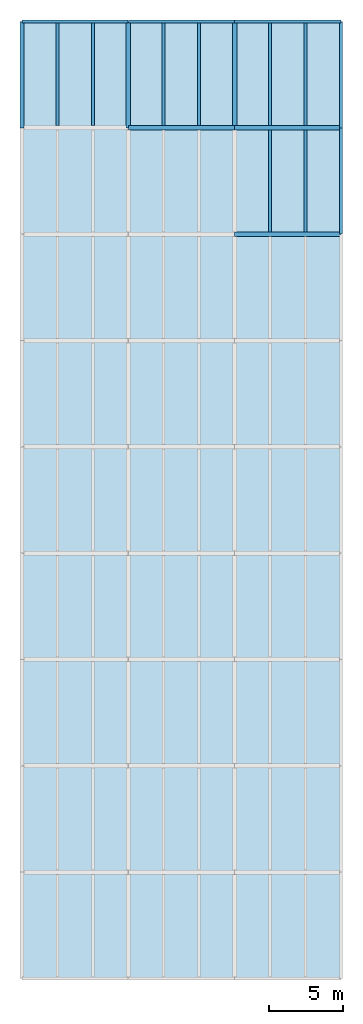
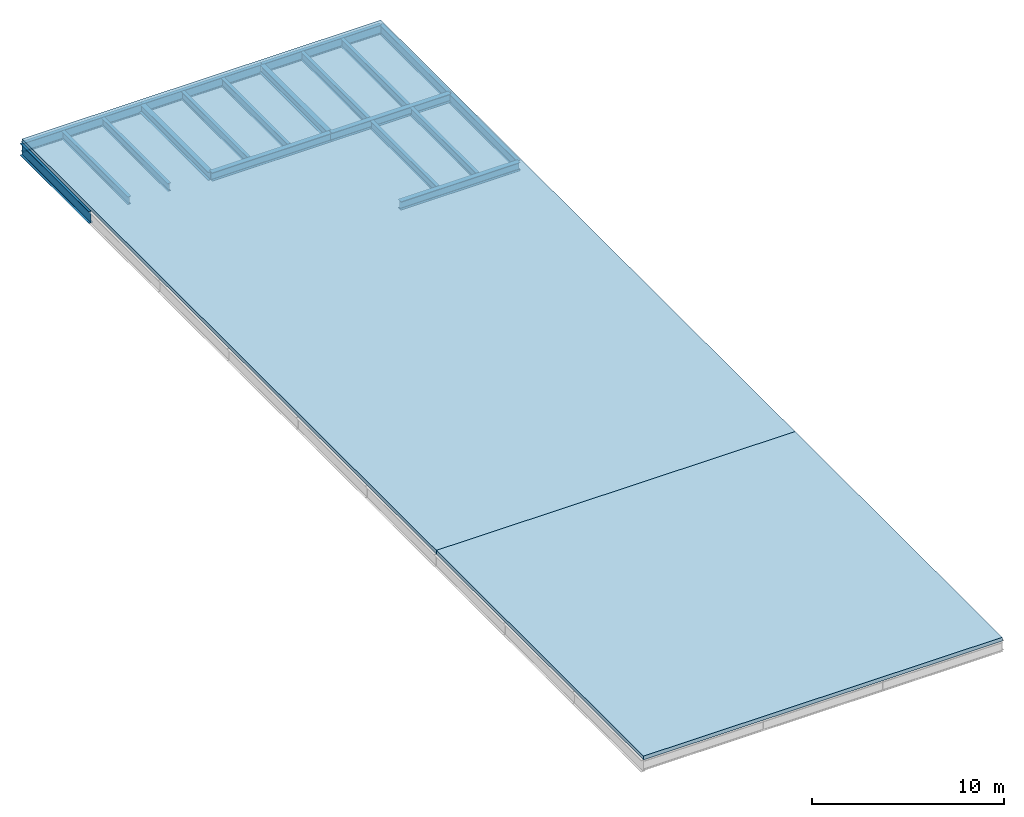
# One storey, part 2 of 2: 19 beams, 2 slabs.
"""IFC4 building model written with IfcOpenShell, lengths in metres."""

from ifc_helpers import new_model, si_unit, direction, frame, origin, origin_2d, place, context, subcontext, project, spatial, polyline, i_section, outline, extrude, material, layer, layer_set, material_profile, profile_set, type_object, element, save


model = new_model("IFC4")

# Units and contexts
model_context = context("Model", 3, precision=1e-05, world=origin(), true_north=direction((0.0, 1.0)))
body_context = subcontext(model_context, "Body", "Model", "MODEL_VIEW")
ifc_project = project(units=[si_unit("LENGTHUNIT", "METRE"), si_unit("AREAUNIT", "SQUARE_METRE"), si_unit("VOLUMEUNIT", "CUBIC_METRE"), si_unit("PLANEANGLEUNIT", "RADIAN"), si_unit("MASSUNIT", "GRAM", prefix="KILO")], contexts=[model_context])

# Site, building, storey
site_placement = place(None, origin())
site = spatial("IfcSite", under=ifc_project, at=site_placement, CompositionType="ELEMENT")
building_placement = place(site_placement, origin())
building = spatial("IfcBuilding", under=site, at=building_placement, Name="Narikvali Park Central Library", CompositionType="ELEMENT")
storey_placement = place(building_placement, frame((0.0, 0.0, 27.0)))
storey = spatial("IfcBuildingStorey", under=building, at=storey_placement, Name="Roof", CompositionType="ELEMENT", Elevation=27.0)

# Beams
ifc_material_1 = material(Name="Steel S355", Category="steel")
ifc_material_profile_1 = material_profile(ifc_material_1, i_section(OverallWidth=0.199951171875, OverallDepth=0.5, WebThickness=0.01025390625, FlangeThickness=0.01611328125, FilletRadius=0.02099609375, at=origin_2d()), Name="IPE 500")
ifc_profile_set_1 = profile_set([ifc_material_profile_1], Name="Steel S355")
beam_type_1 = type_object("IfcBeamType", Name="Composite Floor Joist IPE500", PredefinedType="JOIST", material=ifc_profile_set_1)
for number, where, z_axis, x_axis, name in (
    (1, (2.39990234375, 100.949951171875, -0.489990234375), (0.0, 1.0, 0.0), (-1.0, 0.0, 0.0), "V5 Roof Composite Joist 1"),
    (2, (4.800048828125, 100.949951171875, -0.489990234375), (0.0, 1.0, 0.0), (-1.0, 0.0, 0.0), "V5 Roof Composite Joist 2"),
    (3, (9.60009765625, 100.949951171875, -0.489990234375), (0.0, 1.0, 0.0), (-1.0, 0.0, 0.0), "V5 Roof Composite Joist 1"),
    (4, (12.0, 100.949951171875, -0.489990234375), (0.0, 1.0, 0.0), (-1.0, 0.0, 0.0), "V5 Roof Composite Joist 2"),
):
    element("IfcBeam", number, at=place(storey_placement, frame(where, z_axis=z_axis, x_axis=x_axis)), inside=storey, type_object=beam_type_1, Name=name, PredefinedType="JOIST", context=body_context, shape_type="SweptSolid", body=[
        extrude(i_section(OverallWidth=0.199951171875, OverallDepth=0.5, WebThickness=0.01025390625, FlangeThickness=0.01611328125, FilletRadius=0.02099609375, at=origin_2d()), origin(), (0.0, 0.0, 1.0), 6.93994140625),
    ])
for number, where, z_axis, x_axis, name in (
    (5, (16.800048828125, 93.75, -0.489990234375), (0.0, 1.0, 0.0), (-1.0, 0.0, 0.0), "V5 Roof Composite Joist 1"),
    (6, (19.199951171875, 93.75, -0.489990234375), (0.0, 1.0, 0.0), (-1.0, 0.0, 0.0), "V5 Roof Composite Joist 2"),
):
    element("IfcBeam", number, at=place(storey_placement, frame(where, z_axis=z_axis, x_axis=x_axis)), inside=storey, type_object=beam_type_1, Name=name, PredefinedType="JOIST", context=body_context, shape_type="SweptSolid", body=[
        extrude(i_section(OverallWidth=0.199951171875, OverallDepth=0.5, WebThickness=0.01025390625, FlangeThickness=0.01611328125, FilletRadius=0.02099609375, at=origin_2d()), origin(), (0.0, 0.0, 1.0), 6.89990234375),
    ])
for number, where, z_axis, x_axis, name in (
    (7, (16.800048828125, 100.949951171875, -0.489990234375), (0.0, 1.0, 0.0), (-1.0, 0.0, 0.0), "V5 Roof Composite Joist 1"),
    (8, (19.199951171875, 100.949951171875, -0.489990234375), (0.0, 1.0, 0.0), (-1.0, 0.0, 0.0), "V5 Roof Composite Joist 2"),
):
    element("IfcBeam", number, at=place(storey_placement, frame(where, z_axis=z_axis, x_axis=x_axis)), inside=storey, type_object=beam_type_1, Name=name, PredefinedType="JOIST", context=body_context, shape_type="SweptSolid", body=[
        extrude(i_section(OverallWidth=0.199951171875, OverallDepth=0.5, WebThickness=0.01025390625, FlangeThickness=0.01611328125, FilletRadius=0.02099609375, at=origin_2d()), origin(), (0.0, 0.0, 1.0), 6.93994140625),
    ])
ifc_material_profile_2 = material_profile(ifc_material_1, i_section(OverallWidth=0.264892578125, OverallDepth=0.7529296875, WebThickness=0.01318359375, FlangeThickness=0.01708984375, FilletRadius=0.01708984375, at=origin_2d()), Name="IPE 750x147")
ifc_profile_set_2 = profile_set([ifc_material_profile_2], Name="Steel S355")
beam_type_2 = type_object("IfcBeamType", Name="Fin Facade Spandrel IPE750", PredefinedType="SPANDREL", material=ifc_profile_set_2)
beam_1_placement = place(storey_placement, frame((0.0, 100.80810546875, -0.616455078125), z_axis=(0.0, 1.0, 0.0), x_axis=(-1.0, 0.0, 0.0)))
element("IfcBeam", 9, at=beam_1_placement, inside=storey, type_object=beam_type_2, Name="V5 Roof Girder Y", PredefinedType="SPANDREL", context=body_context, shape_type="SweptSolid", body=[
    extrude(i_section(OverallWidth=0.264892578125, OverallDepth=0.7529296875, WebThickness=0.01318359375, FlangeThickness=0.01708984375, FilletRadius=0.01708984375, at=origin_2d()), origin(), (0.0, 0.0, 1.0), 7.183837890625),
])
ifc_material_profile_3 = material_profile(ifc_material_1, i_section(OverallWidth=0.219970703125, OverallDepth=0.60009765625, WebThickness=0.011962890625, FlangeThickness=0.01904296875, FilletRadius=0.02392578125, at=origin_2d()), Name="IPE 600")
ifc_profile_set_3 = profile_set([ifc_material_profile_3], Name="Steel S355")
beam_type_3 = type_object("IfcBeamType", Name="Perimeter Spandrel IPE600", PredefinedType="SPANDREL", material=ifc_profile_set_3)
beam_2_placement = place(storey_placement, frame((0.008056640625, 108.0, -0.5400390625), z_axis=(1.0, 0.0, 0.0), x_axis=(0.0, 1.0, 0.0)))
element("IfcBeam", 10, at=beam_2_placement, inside=storey, type_object=beam_type_3, Name="V5 Roof Girder X", PredefinedType="SPANDREL", context=body_context, shape_type="SweptSolid", body=[
    extrude(i_section(OverallWidth=0.219970703125, OverallDepth=0.60009765625, WebThickness=0.011962890625, FlangeThickness=0.01904296875, FilletRadius=0.02392578125, at=origin_2d()), origin(), (0.0, 0.0, 1.0), 7.183837890625),
])
for number, where, z_axis, x_axis, name in (
    (11, (7.2080078125, 108.0, -0.5400390625), (1.0, 0.0, 0.0), (0.0, 1.0, 0.0), "V5 Roof Girder X"),
    (12, (14.407958984375, 108.0, -0.5400390625), (1.0, 0.0, 0.0), (0.0, 1.0, 0.0), "V5 Roof Girder X"),
    (13, (21.60009765625, 93.60791015625, -0.5400390625), (0.0, 1.0, 0.0), (-1.0, 0.0, 0.0), "V5 Roof Girder Y"),
):
    element("IfcBeam", number, at=place(storey_placement, frame(where, z_axis=z_axis, x_axis=x_axis)), inside=storey, type_object=beam_type_3, Name=name, PredefinedType="SPANDREL", context=body_context, shape_type="SweptSolid", body=[
        extrude(i_section(OverallWidth=0.219970703125, OverallDepth=0.60009765625, WebThickness=0.011962890625, FlangeThickness=0.01904296875, FilletRadius=0.02392578125, at=origin_2d()), origin(), (0.0, 0.0, 1.0), 7.18408203125),
    ])
beam_3_placement = place(storey_placement, frame((21.60009765625, 100.80810546875, -0.5400390625), z_axis=(0.0, 1.0, 0.0), x_axis=(-1.0, 0.0, 0.0)))
element("IfcBeam", 14, at=beam_3_placement, inside=storey, type_object=beam_type_3, Name="V5 Roof Girder Y", PredefinedType="SPANDREL", context=body_context, shape_type="SweptSolid", body=[
    extrude(i_section(OverallWidth=0.219970703125, OverallDepth=0.60009765625, WebThickness=0.011962890625, FlangeThickness=0.01904296875, FilletRadius=0.02392578125, at=origin_2d()), origin(), (0.0, 0.0, 1.0), 7.183837890625),
])
ifc_material_profile_4 = material_profile(ifc_material_1, i_section(OverallWidth=0.300048828125, OverallDepth=0.5400390625, WebThickness=0.012451171875, FlangeThickness=0.02392578125, FilletRadius=0.027099609375, at=origin_2d()), Name="HEA 550")
ifc_profile_set_4 = profile_set([ifc_material_profile_4], Name="Steel S355")
beam_type_4 = type_object("IfcBeamType", Name="Primary Girder HEA550", PredefinedType="BEAM", material=ifc_profile_set_4)
for number, where, z_axis, x_axis, name in (
    (15, (7.199951171875, 100.80810546875, -0.510009765625), (0.0, 1.0, 0.0), (-1.0, 0.0, 0.0), "V5 Roof Girder Y"),
    (16, (14.39990234375, 100.80810546875, -0.510009765625), (0.0, 1.0, 0.0), (-1.0, 0.0, 0.0), "V5 Roof Girder Y"),
):
    element("IfcBeam", number, at=place(storey_placement, frame(where, z_axis=z_axis, x_axis=x_axis)), inside=storey, type_object=beam_type_4, Name=name, PredefinedType="BEAM", context=body_context, shape_type="SweptSolid", body=[
        extrude(i_section(OverallWidth=0.300048828125, OverallDepth=0.5400390625, WebThickness=0.012451171875, FlangeThickness=0.02392578125, FilletRadius=0.027099609375, at=origin_2d()), origin(), (0.0, 0.0, 1.0), 7.183837890625),
    ])
ifc_material_profile_5 = material_profile(ifc_material_1, i_section(OverallWidth=0.300048828125, OverallDepth=0.550048828125, WebThickness=0.014892578125, FlangeThickness=0.029052734375, FilletRadius=0.027099609375, at=origin_2d()), Name="HEB 550")
ifc_profile_set_5 = profile_set([ifc_material_profile_5], Name="Steel S355")
beam_type_5 = type_object("IfcBeamType", Name="Primary Stack Girder HEB550", PredefinedType="BEAM", material=ifc_profile_set_5)
for number, where, z_axis, x_axis, name in (
    (17, (14.407958984375, 93.60009765625, -0.514892578125), (1.0, 0.0, 0.0), (0.0, 1.0, 0.0), "V5 Roof Girder X"),
    (18, (7.2080078125, 100.800048828125, -0.514892578125), (1.0, 0.0, 0.0), (0.0, 1.0, 0.0), "V5 Roof Girder X"),
    (19, (14.407958984375, 100.800048828125, -0.514892578125), (1.0, 0.0, 0.0), (0.0, 1.0, 0.0), "V5 Roof Girder X"),
):
    element("IfcBeam", number, at=place(storey_placement, frame(where, z_axis=z_axis, x_axis=x_axis)), inside=storey, type_object=beam_type_5, Name=name, PredefinedType="BEAM", context=body_context, shape_type="SweptSolid", body=[
        extrude(i_section(OverallWidth=0.300048828125, OverallDepth=0.550048828125, WebThickness=0.014892578125, FlangeThickness=0.029052734375, FilletRadius=0.027099609375, at=origin_2d()), origin(), (0.0, 0.0, 1.0), 7.18408203125),
    ])

# Slabs
ifc_material_2 = material(Name="Concrete C35/45", Category="concrete")
ifc_layer = layer(ifc_material_2, 0.239990234375, Name="Concrete C35/45")
ifc_layer_set = layer_set([ifc_layer], Name="Concrete C35/45")
slab_type = type_object("IfcSlabType", Name="Flat Acoustic Roof Slab 240", PredefinedType="ROOF", material=ifc_layer_set)
slab_1_placement = place(storey_placement, frame((0.0, 0.0, -0.239990234375)))
element("IfcSlab", 20, at=slab_1_placement, inside=storey, type_object=slab_type, Name="V5 Roof Structural Slab Panel 1", PredefinedType="ROOF", context=body_context, shape_type="SweptSolid", body=[
    extrude(outline(polyline([(0.0, 43.199951171875), (21.60009765625, 43.199951171875), (21.60009765625, 64.800048828125), (0.0, 64.800048828125), (0.0, 43.199951171875)])), origin(), (0.0, 0.0, 1.0), 0.239990234375),
])
slab_2_placement = place(storey_placement, frame((0.0, 0.0, -0.239990234375)))
element("IfcSlab", 21, at=slab_2_placement, inside=storey, type_object=slab_type, Name="V5 Roof Structural Slab Panel 2", PredefinedType="ROOF", context=body_context, shape_type="SweptSolid", body=[
    extrude(outline(polyline([(0.0, 64.800048828125), (21.60009765625, 64.800048828125), (21.60009765625, 108.0), (0.0, 108.0), (0.0, 64.800048828125)])), origin(), (0.0, 0.0, 1.0), 0.239990234375),
])

save(model, "model.ifc")
